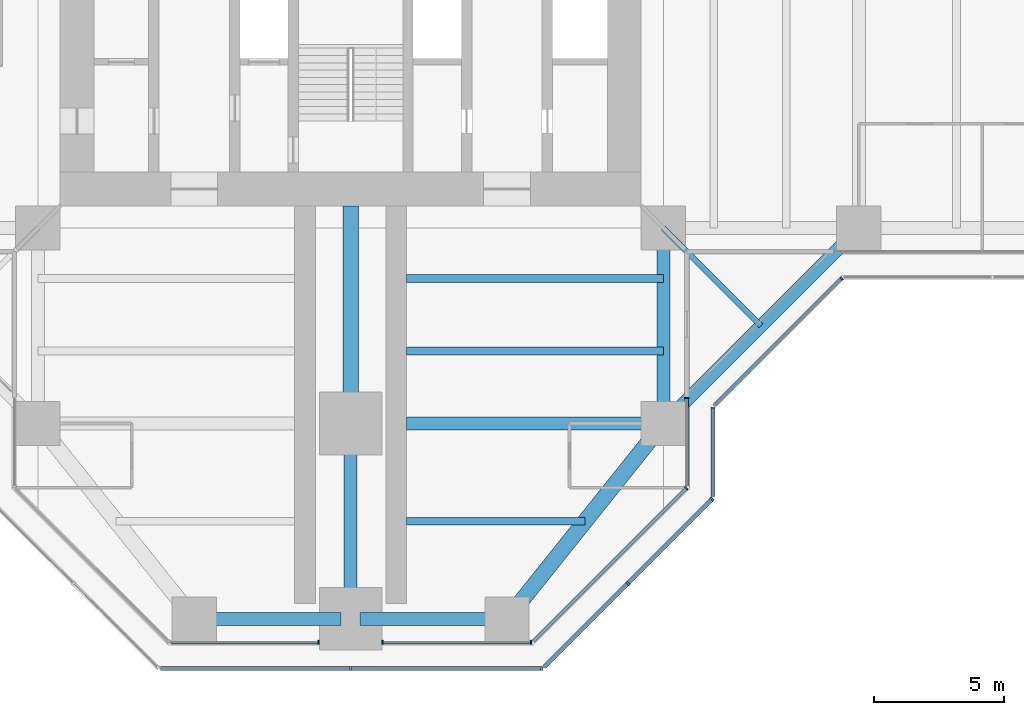
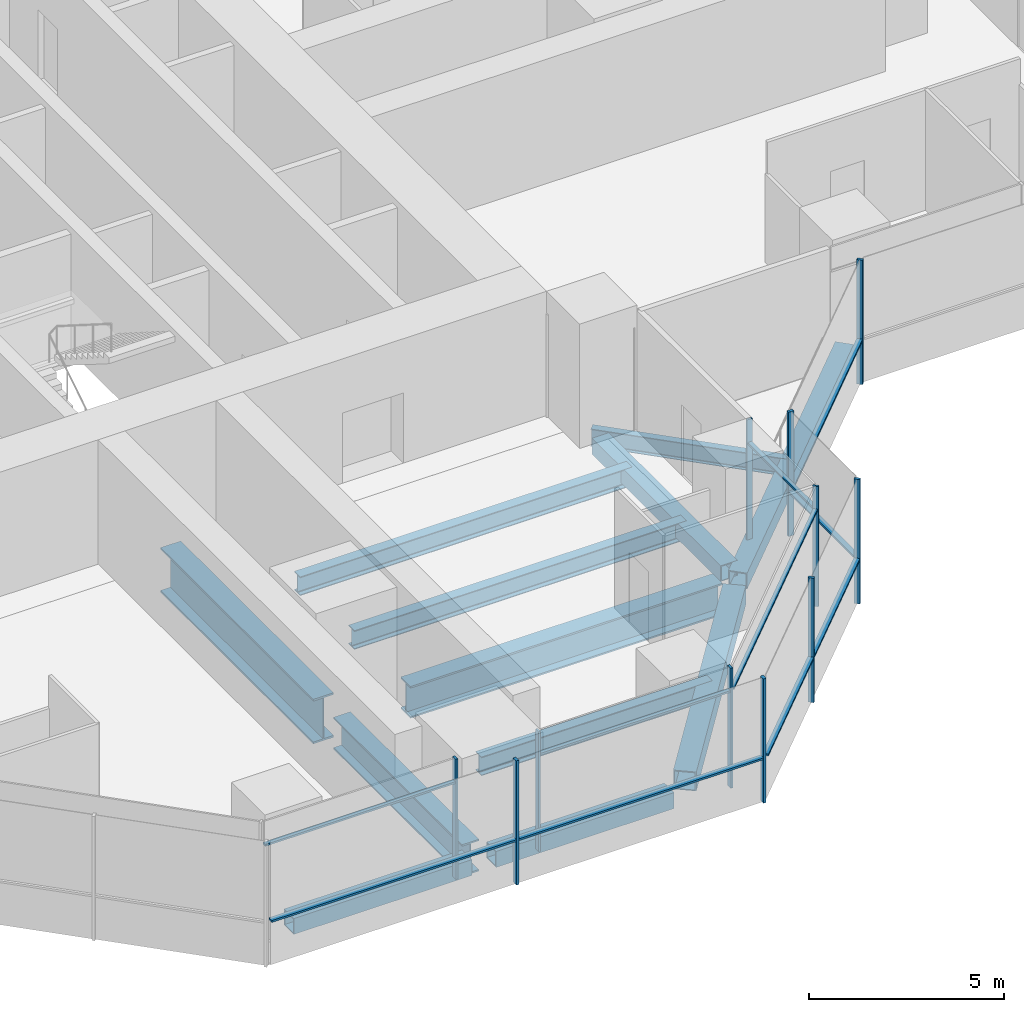
# One storey, part 4 of 20: 21 members, 12 beams, 8 elements without a shape of their own.
"""IFC4 building model written with IfcOpenShell, lengths in metres."""

from ifc_helpers import new_model, si_unit, direction, frame, origin, origin_2d, place, context, subcontext, project, spatial, rectangle, hollow_rectangle, i_section, extrude, material, material_profile, profile_set, type_object, element, aggregate, save


model = new_model("IFC4")

# Units and contexts
model_context = context("Model", 3, precision=1e-05, world=origin(), true_north=direction((0.0, 1.0)))
body_context = subcontext(model_context, "Body", "Model", "MODEL_VIEW")
ifc_project = project(units=[si_unit("LENGTHUNIT", "METRE"), si_unit("AREAUNIT", "SQUARE_METRE"), si_unit("VOLUMEUNIT", "CUBIC_METRE"), si_unit("PLANEANGLEUNIT", "RADIAN"), si_unit("MASSUNIT", "GRAM", prefix="KILO")], contexts=[model_context])

# Site, building, storey
site_placement = place(None, origin())
site = spatial("IfcSite", under=ifc_project, at=site_placement, CompositionType="ELEMENT")
building_placement = place(site_placement, origin())
building = spatial("IfcBuilding", under=site, at=building_placement, Name="Mizan Broadcast Tower", CompositionType="ELEMENT")
storey_placement = place(building_placement, frame((0.0, 0.0, 147.60009765625)))
storey = spatial("IfcBuildingStorey", under=building, at=storey_placement, Name="L33", CompositionType="ELEMENT", Elevation=147.60009765625)

# Beams
ifc_material_1 = material(Name="Steel S355", Category="steel")
ifc_material_profile_1 = material_profile(ifc_material_1, hollow_rectangle(XDim=0.5, YDim=0.5, WallThickness=0.030029296875, at=origin_2d()), Name="BOX 500x500x30")
ifc_profile_set_1 = profile_set([ifc_material_profile_1], Name="Steel S355")
beam_type_1 = type_object("IfcBeamType", Name="EDGE BEAM BOX 500x500x30", PredefinedType="SPANDREL", material=ifc_profile_set_1)
beam_1_placement = place(storey_placement, frame((-5.639892578125, -27.0, -0.380126953125), z_axis=(1.0, 0.0, 0.0), x_axis=(0.0, 1.0, 0.0)))
element("IfcBeam", 1, at=beam_1_placement, inside=storey, type_object=beam_type_1, Name="Edge beam BOX 500x500x30 L33 south arm", PredefinedType="SPANDREL", context=body_context, shape_type="SweptSolid", body=[
    extrude(hollow_rectangle(XDim=0.5, YDim=0.5, WallThickness=0.030029296875, at=origin_2d()), origin(), (0.0, 0.0, 1.0), 5.27978515625),
])
beam_2_placement = place(storey_placement, frame((12.0, -12.449951171875, -0.380126953125), z_axis=(0.0, -1.0, 0.0), x_axis=(1.0, 0.0, 0.0)))
element("IfcBeam", 2, at=beam_2_placement, inside=storey, type_object=beam_type_1, Name="Edge beam BOX 500x500x30 L33 south arm", PredefinedType="SPANDREL", context=body_context, shape_type="SweptSolid", body=[
    extrude(hollow_rectangle(XDim=0.5, YDim=0.5, WallThickness=0.030029296875, at=origin_2d()), origin(), (0.0, 0.0, 1.0), 6.60009765625),
])
beam_3_placement = place(storey_placement, frame((5.639892578125, -27.0, -0.380126953125), z_axis=(-1.0, 0.0, 0.0), x_axis=(0.0, -1.0, 0.0)))
element("IfcBeam", 3, at=beam_3_placement, inside=storey, type_object=beam_type_1, Name="Edge beam BOX 500x500x30 L33 south arm", PredefinedType="SPANDREL", context=body_context, shape_type="SweptSolid", body=[
    extrude(hollow_rectangle(XDim=0.5, YDim=0.5, WallThickness=0.030029296875, at=origin_2d()), origin(), (0.0, 0.0, 1.0), 5.27978515625),
])
beam_4_placement = place(storey_placement, frame((12.0, -19.5, -0.380126953125), z_axis=(0.707106781187, 0.707106781187, 0.0), x_axis=(-0.707106781187, 0.707106781187, 0.0)))
element("IfcBeam", 4, at=beam_4_placement, inside=storey, type_object=beam_type_1, Name="Winter garden edge beam L33 S", PredefinedType="SPANDREL", context=body_context, shape_type="SweptSolid", body=[
    extrude(hollow_rectangle(XDim=0.5, YDim=0.5, WallThickness=0.030029296875, at=origin_2d()), origin(), (0.0, 0.0, 1.0), 10.606689453125),
])
ifc_material_2 = material(Name="Steel S355", Category="steel")
ifc_material_profile_2 = material_profile(ifc_material_2, hollow_rectangle(XDim=0.60009765625, YDim=0.60009765625, WallThickness=0.030029296875, at=origin_2d()), Name="BOX 600x600x30")
ifc_profile_set_2 = profile_set([ifc_material_profile_2], Name="Steel S355")
beam_type_2 = type_object("IfcBeamType", Name="EDGE BEAM BOX 600x600x30", PredefinedType="SPANDREL", material=ifc_profile_set_2)
beam_5_placement = place(storey_placement, frame((11.639892578125, -19.949951171875, -0.43017578125), z_axis=(-0.624673911726, -0.780885717636, 0.0), x_axis=(0.780885717636, -0.624673911726, 0.0)))
element("IfcBeam", 5, at=beam_5_placement, inside=storey, type_object=beam_type_2, Name="Edge beam BOX 600x600x30 L33 south arm", PredefinedType="SPANDREL", context=body_context, shape_type="SweptSolid", body=[
    extrude(hollow_rectangle(XDim=0.60009765625, YDim=0.60009765625, WallThickness=0.030029296875, at=origin_2d()), origin(), (0.0, 0.0, 1.0), 8.4521484375),
])
ifc_material_3 = material(Name="Steel S460", Category="steel")
ifc_material_profile_3 = material_profile(ifc_material_3, i_section(OverallWidth=0.5, OverallDepth=1.0, WebThickness=0.02490234375, FlangeThickness=0.050048828125, at=origin_2d()), Name="WPG 1000x500")
ifc_profile_set_3 = profile_set([ifc_material_profile_3], Name="Steel S460")
beam_type_3 = type_object("IfcBeamType", Name="GIRDER WPG 1000x500", PredefinedType="BEAM", material=ifc_profile_set_3)
beam_6_placement = place(storey_placement, frame((0.0, -19.949951171875, -0.630126953125), z_axis=(0.0, -1.0, 0.0), x_axis=(1.0, 0.0, 0.0)))
element("IfcBeam", 6, at=beam_6_placement, inside=storey, type_object=beam_type_3, Name="Girder WPG 1000x500 L33 south arm", PredefinedType="BEAM", context=body_context, shape_type="SweptSolid", body=[
    extrude(i_section(OverallWidth=0.5, OverallDepth=1.0, WebThickness=0.02490234375, FlangeThickness=0.050048828125, at=origin_2d()), origin(), (0.0, 0.0, 1.0), 6.60009765625),
])
beam_7_placement = place(storey_placement, frame((11.408935546875, -19.5, -0.630126953125), z_axis=(-1.0, 0.0, 0.0), x_axis=(0.0, -1.0, 0.0)))
element("IfcBeam", 7, at=beam_7_placement, inside=storey, type_object=beam_type_3, Name="Girder WPG 1000x500 L33 south arm", PredefinedType="BEAM", context=body_context, shape_type="SweptSolid", body=[
    extrude(i_section(OverallWidth=0.5, OverallDepth=1.0, WebThickness=0.02490234375, FlangeThickness=0.050048828125, at=origin_2d()), origin(), (0.0, 0.0, 1.0), 9.259033203125),
])
ifc_material_4 = material(Name="Steel S460", Category="steel")
ifc_material_profile_4 = material_profile(ifc_material_4, i_section(OverallWidth=0.60009765625, OverallDepth=1.39990234375, WebThickness=0.02490234375, FlangeThickness=0.06005859375, at=origin_2d()), Name="WPG 1400x600")
ifc_profile_set_4 = profile_set([ifc_material_profile_4], Name="Steel S460")
beam_type_4 = type_object("IfcBeamType", Name="GIRDER WPG 1400x600", PredefinedType="BEAM", material=ifc_profile_set_4)
beam_8_placement = place(storey_placement, frame((0.0, -11.14990234375, -0.830078125), z_axis=(0.0, -1.0, 0.0), x_axis=(1.0, 0.0, 0.0)))
element("IfcBeam", 8, at=beam_8_placement, inside=storey, type_object=beam_type_4, Name="Girder WPG 1400x600 L33 south arm", PredefinedType="BEAM", context=body_context, shape_type="SweptSolid", body=[
    extrude(i_section(OverallWidth=0.60009765625, OverallDepth=1.39990234375, WebThickness=0.02490234375, FlangeThickness=0.06005859375, at=origin_2d()), origin(), (0.0, 0.0, 1.0), 7.84912109375),
])

# Curtain wall, member
ifc_material_5 = material(Name="Aluminium framed glazing", Category="aluminium")
curtain_wall_type_1 = type_object("IfcCurtainWallType", Name="INNER SKIN MID ZONE", PredefinedType="USERDEFINED", material=ifc_material_5)
curtain_wall_1_placement = place(storey_placement, origin())
curtain_wall_1 = element("IfcCurtainWall", 9, at=curtain_wall_1_placement, inside=storey, type_object=curtain_wall_type_1, Name="Inner skin mid zone L33 S end", ObjectType="INNER SKIN MID ZONE", PredefinedType="USERDEFINED")
ifc_material_6 = material(Name="Aluminium, pale anodised", Category="aluminium")
ifc_material_profile_5 = material_profile(ifc_material_6, rectangle(XDim=0.159912109375, YDim=0.06005859375, at=origin_2d()), Name="MULLION 160x60")
ifc_profile_set_5 = profile_set([ifc_material_profile_5], Name="Aluminium, pale anodised")
member_type_1 = type_object("IfcMemberType", Name="INNER SKIN MULLION 60x160", PredefinedType="MULLION", material=ifc_profile_set_5)
member_1_placement = place(storey_placement, frame((-1.22998046875, -27.89990234375, 0.0), z_axis=(0.0, 0.0, 1.0), x_axis=(0.0, 1.0, 0.0)))
member_1 = element("IfcMember", 10, at=member_1_placement, type_object=member_type_1, Name="Inner skin mid zone L33 S end mullion 2", PredefinedType="MULLION", context=body_context, shape_type="SweptSolid", body=[
    extrude(rectangle(XDim=0.159912109375, YDim=0.06005859375, at=origin_2d()), origin(), (0.0, 0.0, 1.0), 3.77001953125),
])

# Curtain wall, members
curtain_wall_2_placement = place(storey_placement, origin())
curtain_wall_2 = element("IfcCurtainWall", 11, at=curtain_wall_2_placement, inside=storey, type_object=curtain_wall_type_1, Name="Inner skin mid zone L33 S end", ObjectType="INNER SKIN MID ZONE", PredefinedType="USERDEFINED")
member_2_placement = place(storey_placement, frame((1.22998046875, -27.89990234375, 0.0), z_axis=(0.0, 0.0, 1.0), x_axis=(0.0, 1.0, 0.0)))
member_2 = element("IfcMember", 12, at=member_2_placement, type_object=member_type_1, Name="Inner skin mid zone L33 S end mullion 1", PredefinedType="MULLION", context=body_context, shape_type="SweptSolid", body=[
    extrude(rectangle(XDim=0.159912109375, YDim=0.06005859375, at=origin_2d()), origin(), (0.0, 0.0, 1.0), 3.77001953125),
])
member_3_placement = place(storey_placement, frame((6.928466796875, -27.89990234375, 0.0), z_axis=(0.0, 0.0, 1.0), x_axis=(0.0, 1.0, 0.0)))
member_3 = element("IfcMember", 13, at=member_3_placement, type_object=member_type_1, Name="Inner skin mid zone L33 S end mullion 2", PredefinedType="MULLION", context=body_context, shape_type="SweptSolid", body=[
    extrude(rectangle(XDim=0.159912109375, YDim=0.06005859375, at=origin_2d()), origin(), (0.0, 0.0, 1.0), 3.77001953125),
])

# Curtain wall, member
curtain_wall_3_placement = place(storey_placement, origin())
curtain_wall_3 = element("IfcCurtainWall", 14, at=curtain_wall_3_placement, inside=storey, type_object=curtain_wall_type_1, Name="Inner skin mid zone L33 S chamfer", ObjectType="INNER SKIN MID ZONE", PredefinedType="USERDEFINED")
member_4_placement = place(storey_placement, frame((12.87890625, -21.979736328125, 0.0), z_axis=(0.0, 0.0, 1.0), x_axis=(-0.707106781187, 0.707106781187, 0.0)))
member_4 = element("IfcMember", 15, at=member_4_placement, type_object=member_type_1, Name="Inner skin mid zone L33 S chamfer mullion 2", PredefinedType="MULLION", context=body_context, shape_type="SweptSolid", body=[
    extrude(rectangle(XDim=0.159912109375, YDim=0.06005859375, at=origin_2d()), origin(), (0.0, 0.0, 1.0), 3.77001953125),
])

curtain_wall_4_placement = place(storey_placement, origin())
curtain_wall_4 = element("IfcCurtainWall", 16, at=curtain_wall_4_placement, inside=storey, type_object=curtain_wall_type_1, Name="Inner skin mid zone L33 S side", ObjectType="INNER SKIN MID ZONE", PredefinedType="USERDEFINED")
member_5_placement = place(storey_placement, frame((12.89990234375, -18.530029296875, 0.0), z_axis=(0.0, 0.0, 1.0), x_axis=(-1.0, 0.0, 0.0)))
member_5 = element("IfcMember", 17, at=member_5_placement, type_object=member_type_1, Name="Inner skin mid zone L33 S side mullion 2", PredefinedType="MULLION", context=body_context, shape_type="SweptSolid", body=[
    extrude(rectangle(XDim=0.159912109375, YDim=0.06005859375, at=origin_2d()), origin(), (0.0, 0.0, 1.0), 3.77001953125),
])

# Member
ifc_material_7 = material(Name="Aluminium, pale anodised", Category="aluminium")
ifc_material_profile_6 = material_profile(ifc_material_7, rectangle(XDim=0.1201171875, YDim=0.06005859375, at=origin_2d()), Name="TRANSOM 120x60")
ifc_profile_set_6 = profile_set([ifc_material_profile_6], Name="Aluminium, pale anodised")
member_type_2 = type_object("IfcMemberType", Name="INNER SKIN TRANSOM 60x120", PredefinedType="USERDEFINED", material=ifc_profile_set_6)
member_6_placement = place(storey_placement, frame((-6.898681640625, -27.89990234375, 3.02978515625), z_axis=(1.0, 0.0, 0.0), x_axis=(0.0, 1.0, 0.0)))
member_6 = element("IfcMember", 18, at=member_6_placement, type_object=member_type_2, Name="Inner skin mid zone L33 S end transom 1.1", ObjectType="TRANSOM", PredefinedType="USERDEFINED", context=body_context, shape_type="SweptSolid", body=[
    extrude(rectangle(XDim=0.1201171875, YDim=0.06005859375, at=origin_2d()), origin(), (0.0, 0.0, 1.0), 5.638671875),
])

aggregate(curtain_wall_1, [member_1, member_6])

member_7_placement = place(storey_placement, frame((1.260009765625, -27.89990234375, 3.02978515625), z_axis=(1.0, 0.0, 0.0), x_axis=(0.0, 1.0, 0.0)))
member_7 = element("IfcMember", 19, at=member_7_placement, type_object=member_type_2, Name="Inner skin mid zone L33 S end transom 1.1", ObjectType="TRANSOM", PredefinedType="USERDEFINED", context=body_context, shape_type="SweptSolid", body=[
    extrude(rectangle(XDim=0.1201171875, YDim=0.06005859375, at=origin_2d()), origin(), (0.0, 0.0, 1.0), 5.638671875),
])

aggregate(curtain_wall_2, [member_2, member_3, member_7])

member_8_placement = place(storey_placement, frame((7.0009765625, -27.857666015625, 3.02978515625), z_axis=(0.707106781187, 0.707106781187, 0.0), x_axis=(-0.707106781187, 0.707106781187, 0.0)))
member_8 = element("IfcMember", 20, at=member_8_placement, type_object=member_type_2, Name="Inner skin mid zone L33 S chamfer transom 1.1", ObjectType="TRANSOM", PredefinedType="USERDEFINED", context=body_context, shape_type="SweptSolid", body=[
    extrude(rectangle(XDim=0.1201171875, YDim=0.06005859375, at=origin_2d()), origin(), (0.0, 0.0, 1.0), 8.28271484375),
])

aggregate(curtain_wall_3, [member_4, member_8])

member_9_placement = place(storey_placement, frame((12.89990234375, -21.898681640625, 3.02978515625), z_axis=(0.0, 1.0, 0.0), x_axis=(-1.0, 0.0, 0.0)))
member_9 = element("IfcMember", 21, at=member_9_placement, type_object=member_type_2, Name="Inner skin mid zone L33 S side transom 1.1", ObjectType="TRANSOM", PredefinedType="USERDEFINED", context=body_context, shape_type="SweptSolid", body=[
    extrude(rectangle(XDim=0.1201171875, YDim=0.06005859375, at=origin_2d()), origin(), (0.0, 0.0, 1.0), 3.338623046875),
])

aggregate(curtain_wall_4, [member_5, member_9])

# Curtain wall, members
ifc_material_8 = material(Name="Aluminium framed glazing", Category="aluminium")
curtain_wall_type_2 = type_object("IfcCurtainWallType", Name="OUTER SKIN", PredefinedType="USERDEFINED", material=ifc_material_8)
curtain_wall_5_placement = place(storey_placement, origin())
curtain_wall_5 = element("IfcCurtainWall", 22, at=curtain_wall_5_placement, inside=storey, type_object=curtain_wall_type_2, Name="Outer skin L33 S end", ObjectType="OUTER SKIN", PredefinedType="USERDEFINED")
ifc_material_9 = material(Name="Aluminium, pale anodised", Category="aluminium")
ifc_material_profile_7 = material_profile(ifc_material_9, rectangle(XDim=0.159912109375, YDim=0.080078125, at=origin_2d()), Name="MULLION 160x80")
ifc_profile_set_7 = profile_set([ifc_material_profile_7], Name="Aluminium, pale anodised")
member_type_3 = type_object("IfcMemberType", Name="OUTER SKIN MULLION 80x160", PredefinedType="MULLION", material=ifc_profile_set_7)
member_10_placement = place(storey_placement, frame((0.0, -28.89990234375, 0.0), z_axis=(0.0, 0.0, 1.0), x_axis=(0.0, 1.0, 0.0)))
member_10 = element("IfcMember", 23, at=member_10_placement, type_object=member_type_3, Name="Outer skin L33 S end mullion 2", PredefinedType="MULLION", context=body_context, shape_type="SweptSolid", body=[
    extrude(rectangle(XDim=0.159912109375, YDim=0.080078125, at=origin_2d()), origin(), (0.0, 0.0, 1.0), 3.89990234375),
])
member_11_placement = place(storey_placement, frame((7.332763671875, -28.89990234375, 0.0), z_axis=(0.0, 0.0, 1.0), x_axis=(0.0, 1.0, 0.0)))
member_11 = element("IfcMember", 24, at=member_11_placement, type_object=member_type_3, Name="Outer skin L33 S end mullion 3", PredefinedType="MULLION", context=body_context, shape_type="SweptSolid", body=[
    extrude(rectangle(XDim=0.159912109375, YDim=0.080078125, at=origin_2d()), origin(), (0.0, 0.0, 1.0), 3.89990234375),
])

curtain_wall_6_placement = place(storey_placement, origin())
curtain_wall_6 = element("IfcCurtainWall", 25, at=curtain_wall_6_placement, inside=storey, type_object=curtain_wall_type_2, Name="Outer skin L33 S chamfer", ObjectType="OUTER SKIN", PredefinedType="USERDEFINED")
member_12_placement = place(storey_placement, frame((10.636474609375, -25.636474609375, 0.0), z_axis=(0.0, 0.0, 1.0), x_axis=(-0.707106781187, 0.707106781187, 0.0)))
member_12 = element("IfcMember", 26, at=member_12_placement, type_object=member_type_3, Name="Outer skin L33 S chamfer mullion 2", PredefinedType="MULLION", context=body_context, shape_type="SweptSolid", body=[
    extrude(rectangle(XDim=0.159912109375, YDim=0.080078125, at=origin_2d()), origin(), (0.0, 0.0, 1.0), 3.89990234375),
])
member_13_placement = place(storey_placement, frame((13.871826171875, -22.401123046875, 0.0), z_axis=(0.0, 0.0, 1.0), x_axis=(-0.707106781187, 0.707106781187, 0.0)))
member_13 = element("IfcMember", 27, at=member_13_placement, type_object=member_type_3, Name="Outer skin L33 S chamfer mullion 3", PredefinedType="MULLION", context=body_context, shape_type="SweptSolid", body=[
    extrude(rectangle(XDim=0.159912109375, YDim=0.080078125, at=origin_2d()), origin(), (0.0, 0.0, 1.0), 3.89990234375),
])

# Curtain wall, member
curtain_wall_7_placement = place(storey_placement, origin())
curtain_wall_7 = element("IfcCurtainWall", 28, at=curtain_wall_7_placement, inside=storey, type_object=curtain_wall_type_2, Name="Outer skin L33 S side", ObjectType="OUTER SKIN", PredefinedType="USERDEFINED")
member_14_placement = place(storey_placement, frame((13.89990234375, -18.912841796875, 0.0), z_axis=(0.0, 0.0, 1.0), x_axis=(-1.0, 0.0, 0.0)))
member_14 = element("IfcMember", 29, at=member_14_placement, type_object=member_type_3, Name="Outer skin L33 S side mullion 2", PredefinedType="MULLION", context=body_context, shape_type="SweptSolid", body=[
    extrude(rectangle(XDim=0.159912109375, YDim=0.080078125, at=origin_2d()), origin(), (0.0, 0.0, 1.0), 3.89990234375),
])

curtain_wall_8_placement = place(storey_placement, origin())
curtain_wall_8 = element("IfcCurtainWall", 30, at=curtain_wall_8_placement, inside=storey, type_object=curtain_wall_type_2, Name="Outer skin L33 E chamfer", ObjectType="OUTER SKIN", PredefinedType="USERDEFINED")
member_15_placement = place(storey_placement, frame((18.844482421875, -13.92822265625, 0.0), z_axis=(0.0, 0.0, 1.0), x_axis=(-0.707106781187, 0.707106781187, 0.0)))
member_15 = element("IfcMember", 31, at=member_15_placement, type_object=member_type_3, Name="Outer skin L33 E chamfer mullion 2", PredefinedType="MULLION", context=body_context, shape_type="SweptSolid", body=[
    extrude(rectangle(XDim=0.159912109375, YDim=0.080078125, at=origin_2d()), origin(), (0.0, 0.0, 1.0), 3.89990234375),
])

# Member
ifc_material_10 = material(Name="Aluminium, pale anodised", Category="aluminium")
ifc_material_profile_8 = material_profile(ifc_material_10, rectangle(XDim=0.159912109375, YDim=0.06005859375, at=origin_2d()), Name="TRANSOM 160x60")
ifc_profile_set_8 = profile_set([ifc_material_profile_8], Name="Aluminium, pale anodised")
member_type_4 = type_object("IfcMemberType", Name="OUTER SKIN TRANSOM 60x160", PredefinedType="USERDEFINED", material=ifc_profile_set_8)
member_16_placement = place(storey_placement, frame((-7.292724609375, -28.89990234375, 1.39990234375), z_axis=(1.0, 0.0, 0.0), x_axis=(0.0, 1.0, 0.0)))
member_16 = element("IfcMember", 32, at=member_16_placement, type_object=member_type_4, Name="Outer skin L33 S end transom 1.1", ObjectType="TRANSOM", PredefinedType="USERDEFINED", context=body_context, shape_type="SweptSolid", body=[
    extrude(rectangle(XDim=0.159912109375, YDim=0.06005859375, at=origin_2d()), origin(), (0.0, 0.0, 1.0), 7.252685546875),
])

member_17_placement = place(storey_placement, frame((0.0400390625, -28.89990234375, 1.39990234375), z_axis=(1.0, 0.0, 0.0), x_axis=(0.0, 1.0, 0.0)))
member_17 = element("IfcMember", 33, at=member_17_placement, type_object=member_type_4, Name="Outer skin L33 S end transom 2.1", ObjectType="TRANSOM", PredefinedType="USERDEFINED", context=body_context, shape_type="SweptSolid", body=[
    extrude(rectangle(XDim=0.159912109375, YDim=0.06005859375, at=origin_2d()), origin(), (0.0, 0.0, 1.0), 7.252685546875),
])

aggregate(curtain_wall_5, [member_10, member_11, member_16, member_17])

member_18_placement = place(storey_placement, frame((7.429443359375, -28.843505859375, 1.39990234375), z_axis=(0.707106781187, 0.707106781187, 0.0), x_axis=(-0.707106781187, 0.707106781187, 0.0)))
member_18 = element("IfcMember", 34, at=member_18_placement, type_object=member_type_4, Name="Outer skin L33 S chamfer transom 1.1", ObjectType="TRANSOM", PredefinedType="USERDEFINED", context=body_context, shape_type="SweptSolid", body=[
    extrude(rectangle(XDim=0.159912109375, YDim=0.06005859375, at=origin_2d()), origin(), (0.0, 0.0, 1.0), 4.495361328125),
])

member_19_placement = place(storey_placement, frame((10.664794921875, -25.608154296875, 1.39990234375), z_axis=(0.707106781187, 0.707106781187, 0.0), x_axis=(-0.707106781187, 0.707106781187, 0.0)))
member_19 = element("IfcMember", 35, at=member_19_placement, type_object=member_type_4, Name="Outer skin L33 S chamfer transom 2.1", ObjectType="TRANSOM", PredefinedType="USERDEFINED", context=body_context, shape_type="SweptSolid", body=[
    extrude(rectangle(XDim=0.159912109375, YDim=0.06005859375, at=origin_2d()), origin(), (0.0, 0.0, 1.0), 4.495361328125),
])

aggregate(curtain_wall_6, [member_12, member_13, member_18, member_19])

member_20_placement = place(storey_placement, frame((13.89990234375, -22.292724609375, 1.39990234375), z_axis=(0.0, 1.0, 0.0), x_axis=(-1.0, 0.0, 0.0)))
member_20 = element("IfcMember", 36, at=member_20_placement, type_object=member_type_4, Name="Outer skin L33 S side transom 1.1", ObjectType="TRANSOM", PredefinedType="USERDEFINED", context=body_context, shape_type="SweptSolid", body=[
    extrude(rectangle(XDim=0.159912109375, YDim=0.06005859375, at=origin_2d()), origin(), (0.0, 0.0, 1.0), 3.33984375),
])

aggregate(curtain_wall_7, [member_14, member_20])

member_21_placement = place(storey_placement, frame((13.95654296875, -18.816162109375, 1.39990234375), z_axis=(0.707106781187, 0.707106781187, 0.0), x_axis=(-0.707106781187, 0.707106781187, 0.0)))
member_21 = element("IfcMember", 37, at=member_21_placement, type_object=member_type_4, Name="Outer skin L33 E chamfer transom 1.1", ObjectType="TRANSOM", PredefinedType="USERDEFINED", context=body_context, shape_type="SweptSolid", body=[
    extrude(rectangle(XDim=0.159912109375, YDim=0.06005859375, at=origin_2d()), origin(), (0.0, 0.0, 1.0), 6.87255859375),
])

aggregate(curtain_wall_8, [member_15, member_21])

# Beams
ifc_material_11 = material(Name="Steel S355", Category="steel")
ifc_material_profile_9 = material_profile(ifc_material_11, i_section(OverallWidth=0.300048828125, OverallDepth=0.590087890625, WebThickness=0.012939453125, FlangeThickness=0.02490234375, FilletRadius=0.027099609375, at=origin_2d()), Name="HEA 600")
ifc_profile_set_9 = profile_set([ifc_material_profile_9], Name="Steel S355")
beam_type_5 = type_object("IfcBeamType", Name="SECONDARY BEAM HEA 600", PredefinedType="JOIST", material=ifc_profile_set_9)
for number, where, z_axis, x_axis, name in (
    (38, (12.0, -13.933349609375, -0.425048828125), (-1.0, 0.0, 0.0), (0.0, -1.0, 0.0), "Secondary beam HEA 600 L33 south arm"),
    (39, (12.0, -16.716552734375, -0.425048828125), (-1.0, 0.0, 0.0), (0.0, -1.0, 0.0), "Secondary beam HEA 600 L33 south arm"),
):
    element("IfcBeam", number, at=place(storey_placement, frame(where, z_axis=z_axis, x_axis=x_axis)), inside=storey, type_object=beam_type_5, Name=name, PredefinedType="JOIST", context=body_context, shape_type="SweptSolid", body=[
        extrude(i_section(OverallWidth=0.300048828125, OverallDepth=0.590087890625, WebThickness=0.012939453125, FlangeThickness=0.02490234375, FilletRadius=0.027099609375, at=origin_2d()), origin(), (0.0, 0.0, 1.0), 9.85009765625),
    ])
beam_9_placement = place(storey_placement, frame((9.0, -23.25, -0.425048828125), z_axis=(-1.0, 0.0, 0.0), x_axis=(0.0, -1.0, 0.0)))
element("IfcBeam", 40, at=beam_9_placement, inside=storey, type_object=beam_type_5, Name="Secondary beam HEA 600 L33 south arm", PredefinedType="JOIST", context=body_context, shape_type="SweptSolid", body=[
    extrude(i_section(OverallWidth=0.300048828125, OverallDepth=0.590087890625, WebThickness=0.012939453125, FlangeThickness=0.02490234375, FilletRadius=0.027099609375, at=origin_2d()), origin(), (0.0, 0.0, 1.0), 6.85009765625),
])
ifc_material_12 = material(Name="Steel S355", Category="steel")
ifc_material_profile_10 = material_profile(ifc_material_12, i_section(OverallWidth=0.2099609375, OverallDepth=0.550048828125, WebThickness=0.010986328125, FlangeThickness=0.01708984375, FilletRadius=0.02392578125, at=origin_2d()), Name="IPE 550")
ifc_profile_set_10 = profile_set([ifc_material_profile_10], Name="Steel S355")
beam_type_6 = type_object("IfcBeamType", Name="SECONDARY BEAM IPE 550", PredefinedType="JOIST", material=ifc_profile_set_10)
beam_10_placement = place(storey_placement, frame((12.0, -12.0, -0.405029296875), z_axis=(0.707106781187, -0.707106781187, 0.0), x_axis=(0.707106781187, 0.707106781187, 0.0)))
element("IfcBeam", 41, at=beam_10_placement, inside=storey, type_object=beam_type_6, Name="Winter garden beam L33 S", PredefinedType="JOIST", context=body_context, shape_type="SweptSolid", body=[
    extrude(i_section(OverallWidth=0.2099609375, OverallDepth=0.550048828125, WebThickness=0.010986328125, FlangeThickness=0.01708984375, FilletRadius=0.02392578125, at=origin_2d()), origin(), (0.0, 0.0, 1.0), 5.30322265625),
])

save(model, "model.ifc")
